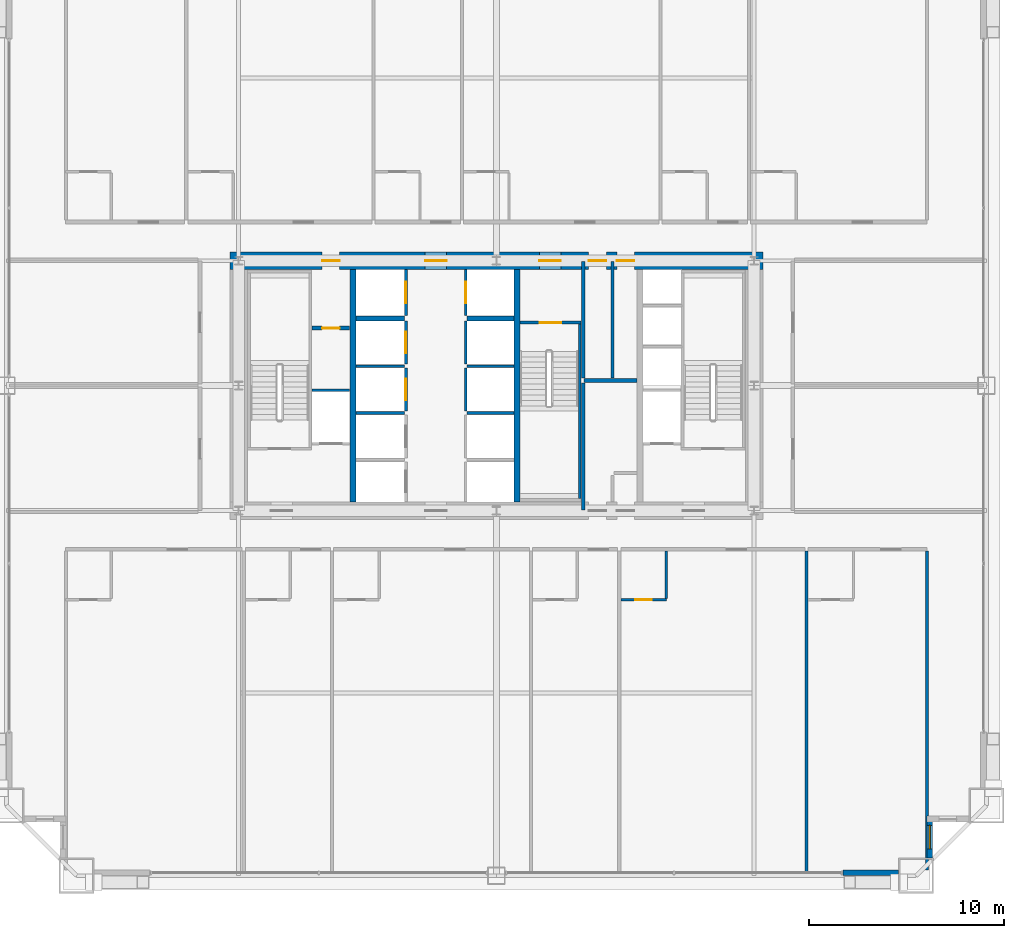
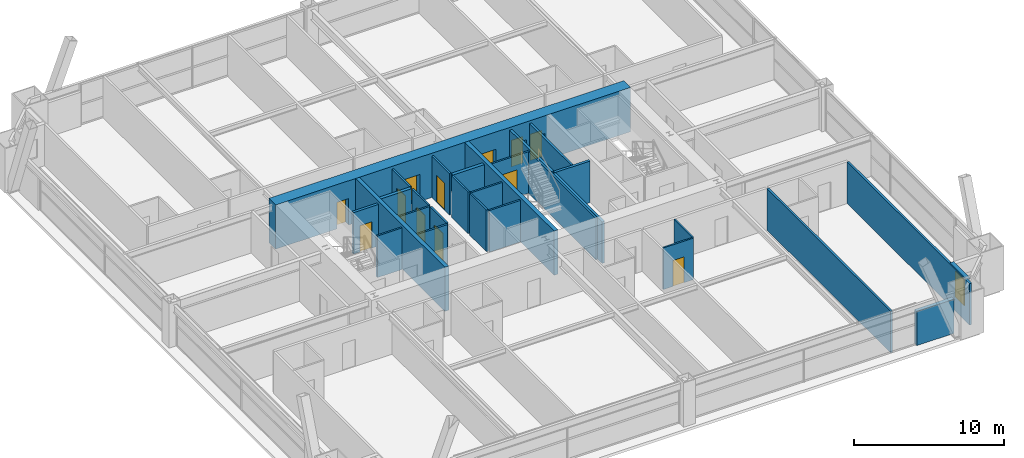
# One storey, part 40 of 43: 29 walls, 12 doors, 1 window, 13 openings.
"""IFC4 building model written with IfcOpenShell, lengths in metres."""

from ifc_helpers import new_model, si_unit, direction, frame, frame_2d, origin, place, context, subcontext, project, spatial, rectangle, extrude, source, transform, mapped, material, layer, layer_set, type_object, element, fill, save


model = new_model("IFC4")

# Units and contexts
model_context = context("Model", 3, precision=1e-05, world=origin(), true_north=direction((0.0, 1.0)))
body_context = subcontext(model_context, "Body", "Model", "MODEL_VIEW")
ifc_project = project(units=[si_unit("LENGTHUNIT", "METRE"), si_unit("AREAUNIT", "SQUARE_METRE"), si_unit("VOLUMEUNIT", "CUBIC_METRE"), si_unit("PLANEANGLEUNIT", "RADIAN"), si_unit("MASSUNIT", "GRAM", prefix="KILO"), si_unit("THERMODYNAMICTEMPERATUREUNIT", "KELVIN"), si_unit("POWERUNIT", "WATT")], contexts=[model_context])

# Site, building, storey
site_placement = place(None, origin())
site = spatial("IfcSite", under=ifc_project, at=site_placement, CompositionType="ELEMENT")
building_placement = place(site_placement, origin())
building = spatial("IfcBuilding", under=site, at=building_placement, Name="Yuzanri Waterfront Tower", CompositionType="ELEMENT")
storey_placement = place(building_placement, frame((0.0, 0.0, 67.60009765625)))
storey = spatial("IfcBuildingStorey", under=building, at=storey_placement, Name="L17", CompositionType="ELEMENT", Elevation=67.60009765625)

# Wall, opening, door
ifc_material_1 = material(Name="Moisture-Resistant Gypsum Stud Wall", Category="gypsum")
ifc_layer_1 = layer(ifc_material_1, 0.1201171875)
ifc_layer_set_1 = layer_set([ifc_layer_1], Name="Moisture-Resistant Gypsum Stud Wall")
wall_type_1 = type_object("IfcWallType", Name="Bathroom and Kitchen Wet Partition 120", PredefinedType="PARTITIONING", material=ifc_layer_set_1)
wall_1_placement = place(storey_placement, frame((43.3740234375, 14.840087890625, 0.0), z_axis=(0.0, 0.0, 1.0), x_axis=(1.0, 0.0, 0.0)))
wall_1 = element("IfcWall", 1, at=wall_1_placement, inside=storey, type_object=wall_type_1, Name="L17 Partition UW-L17-S5-BS", PredefinedType="PARTITIONING", context=body_context, shape_type="SweptSolid", body=[
    extrude(rectangle(XDim=2.330078125, YDim=0.1201171875, at=frame_2d((1.1650390625, 0.0))), origin(), (0.0, 0.0, 1.0), 3.3798828125),
])
opening_1_placement = place(wall_1_placement, frame((0.739990234375, 0.0, 0.0)))
opening_1 = element("IfcOpeningElement", 2, at=opening_1_placement, cuts=wall_1, Name="Opening ID-0850", PredefinedType="OPENING", context=body_context, shape_type="SweptSolid", body=[
    extrude(rectangle(XDim=0.85009765625, YDim=2.10009765625, at=frame_2d((0.425048828125, 1.050048828125))), frame((0.0, 0.074951171875, 0.0), z_axis=(0.0, -1.0, 0.0), x_axis=(1.0, 0.0, 0.0)), (0.0, 0.0, 1.0), 0.14990234375),
])
ifc_material_2 = material(Name="Moisture-Resistant Lacquered Timber", Category="wood")
door_type_1 = type_object("IfcDoorType", Name="En-Suite Bathroom and Kitchen Swing Door 850x2100", OperationType="NOTDEFINED", PredefinedType="DOOR", material=ifc_material_2)
shared_shape_1 = source(origin(), body_context, "Body", "SweptSolid", [
    extrude(rectangle(XDim=0.85009765625, YDim=2.10009765625, at=frame_2d((0.425048828125, 1.050048828125))), frame((0.0, 0.02490234375, 0.0), z_axis=(0.0, -1.0, 0.0), x_axis=(1.0, 0.0, 0.0)), (0.0, 0.0, 1.0), 0.050048828125),
])
door_1_placement = place(opening_1_placement, origin())
door_1 = element("IfcDoor", 3, at=door_1_placement, inside=storey, type_object=door_type_1, Name="L17 Guest En-Suite Door", OperationType="SINGLE_SWING_LEFT", OverallHeight=2.10009765625, OverallWidth=0.85009765625, PredefinedType="DOOR", context=body_context, shape_type="MappedRepresentation", body=[
    mapped(shared_shape_1, transform((0.0, 0.0, 0.0), scale=1.0)),
])
fill(opening_1, door_1)

# Wall, opening, window
ifc_material_3 = material(Name="Honed Chongqing Dark Basalt Stone", Category="masonry")
ifc_layer_2 = layer(ifc_material_3, 0.300048828125)
ifc_layer_set_2 = layer_set([ifc_layer_2], Name="Honed Chongqing Dark Basalt Stone")
wall_type_2 = type_object("IfcWallType", Name="Bronze Rainscreen Insulated Spandrel Portal Wall 300", PredefinedType="SOLIDWALL", material=ifc_layer_set_2)
wall_2_placement = place(storey_placement, frame((59.199951171875, 1.60009765625, 0.0), z_axis=(0.0, 0.0, 1.0), x_axis=(0.0, 1.0, 0.0)))
wall_2 = element("IfcWall", 4, at=wall_2_placement, inside=storey, type_object=wall_type_2, Name="L17 Notched Corner Masonry Wall SE-Y", PredefinedType="SOLIDWALL", context=body_context, shape_type="SweptSolid", body=[
    extrude(rectangle(XDim=2.14990234375, YDim=0.300048828125, at=frame_2d((1.074951171875, 0.0))), origin(), (0.0, 0.0, 1.0), 3.3798828125),
])
opening_2_placement = place(wall_2_placement, frame((0.47509765625, 0.0, 0.85009765625)))
opening_2 = element("IfcOpeningElement", 5, at=opening_2_placement, cuts=wall_2, Name="Opening WN-02", PredefinedType="OPENING", context=body_context, shape_type="SweptSolid", body=[
    extrude(rectangle(XDim=1.199951171875, YDim=2.10009765625, at=frame_2d((0.60009765625, 1.050048828125))), frame((0.0, 0.1650390625, 0.0), z_axis=(0.0, -1.0, 0.0), x_axis=(1.0, 0.0, 0.0)), (0.0, 0.0, 1.0), 0.329833984375),
])
ifc_material_4 = material(Name="Double-Silver Low-E Insulated Glass", Category="glass")
window_type = type_object("IfcWindowType", Name="Anodized Bronze Notched Corner Deep-Set Slot Window 1200x2100", PartitioningType="SINGLE_PANEL", PredefinedType="WINDOW", material=ifc_material_4)
shared_shape_2 = source(origin(), body_context, "Body", "SweptSolid", [
    extrude(rectangle(XDim=1.199951171875, YDim=2.10009765625, at=frame_2d((0.60009765625, 1.050048828125))), frame((0.0, 0.030029296875, 0.0), z_axis=(0.0, -1.0, 0.0), x_axis=(1.0, 0.0, 0.0)), (0.0, 0.0, 1.0), 0.06005859375),
])
window_placement = place(opening_2_placement, origin())
window = element("IfcWindow", 6, at=window_placement, inside=storey, type_object=window_type, Name="L17 Notched Corner Window SE-Y", OverallHeight=2.10009765625, OverallWidth=1.199951171875, PartitioningType="SINGLE_PANEL", PredefinedType="WINDOW", context=body_context, shape_type="MappedRepresentation", body=[
    mapped(shared_shape_2, transform((0.0, 0.0, 0.0), scale=1.0)),
])
fill(opening_2, window)

# Wall, openings, doors
ifc_material_5 = material(Name="Concrete C60", Category="concrete")
ifc_layer_3 = layer(ifc_material_5, 0.89990234375)
ifc_layer_set_3 = layer_set([ifc_layer_3], Name="Concrete C60")
wall_type_3 = type_object("IfcWallType", Name="Concrete C60 Lower Zone Core Shear Wall 900", PredefinedType="SHEAR", material=ifc_layer_set_3)
wall_3_placement = place(storey_placement, frame((23.35009765625, 32.199951171875, 0.0), z_axis=(0.0, 0.0, 1.0), x_axis=(1.0, 0.0, 0.0)))
wall_3 = element("IfcWall", 7, at=wall_3_placement, inside=storey, type_object=wall_type_3, Name="L17 Core North Shear Wall", PredefinedType="SHEAR", context=body_context, shape_type="SweptSolid", body=[
    extrude(rectangle(XDim=27.2998046875, YDim=0.89990234375, at=frame_2d((13.64990234375, 0.0))), origin(), (0.0, 0.0, 1.0), 3.599853515625),
])
opening_3_placement = place(wall_3_placement, frame((4.719970703125, 0.0, 0.0)))
opening_3 = element("IfcOpeningElement", 8, at=opening_3_placement, cuts=wall_3, Name="Opening FD-0900", PredefinedType="OPENING", context=body_context, shape_type="SweptSolid", body=[
    extrude(rectangle(XDim=0.89990234375, YDim=2.14990234375, at=frame_2d((0.449951171875, 1.074951171875))), frame((0.0, 0.46484375, 0.0), z_axis=(0.0, -1.0, 0.0), x_axis=(1.0, 0.0, 0.0)), (0.0, 0.0, 1.0), 0.9296875),
])
opening_4_placement = place(wall_3_placement, frame((10.0, 0.0, 0.0)))
opening_4 = element("IfcOpeningElement", 9, at=opening_4_placement, cuts=wall_3, Name="Opening FD-1100", PredefinedType="OPENING", context=body_context, shape_type="SweptSolid", body=[
    extrude(rectangle(XDim=1.10009765625, YDim=2.199951171875, at=frame_2d((0.550048828125, 1.10009765625))), frame((0.0, 0.46484375, 0.0), z_axis=(0.0, -1.0, 0.0), x_axis=(1.0, 0.0, 0.0)), (0.0, 0.0, 1.0), 0.9296875),
])
opening_5_placement = place(wall_3_placement, frame((15.85009765625, 0.0, 0.0)))
opening_5 = element("IfcOpeningElement", 10, at=opening_5_placement, cuts=wall_3, Name="Opening FD-1100", PredefinedType="OPENING", context=body_context, shape_type="SweptSolid", body=[
    extrude(rectangle(XDim=1.10009765625, YDim=2.199951171875, at=frame_2d((0.550048828125, 1.10009765625))), frame((0.0, 0.46484375, 0.0), z_axis=(0.0, -1.0, 0.0), x_axis=(1.0, 0.0, 0.0)), (0.0, 0.0, 1.0), 0.9296875),
])
opening_6_placement = place(wall_3_placement, frame((18.3798828125, 0.0, 0.0)))
opening_6 = element("IfcOpeningElement", 11, at=opening_6_placement, cuts=wall_3, Name="Opening FD-0900", PredefinedType="OPENING", context=body_context, shape_type="SweptSolid", body=[
    extrude(rectangle(XDim=0.89990234375, YDim=2.14990234375, at=frame_2d((0.449951171875, 1.074951171875))), frame((0.0, 0.46484375, 0.0), z_axis=(0.0, -1.0, 0.0), x_axis=(1.0, 0.0, 0.0)), (0.0, 0.0, 1.0), 0.9296875),
])
opening_7_placement = place(wall_3_placement, frame((19.820068359375, 0.0, 0.0)))
opening_7 = element("IfcOpeningElement", 12, at=opening_7_placement, cuts=wall_3, Name="Opening FD-0900", PredefinedType="OPENING", context=body_context, shape_type="SweptSolid", body=[
    extrude(rectangle(XDim=0.89990234375, YDim=2.14990234375, at=frame_2d((0.449951171875, 1.074951171875))), frame((0.0, 0.46484375, 0.0), z_axis=(0.0, -1.0, 0.0), x_axis=(1.0, 0.0, 0.0)), (0.0, 0.0, 1.0), 0.9296875),
])
ifc_material_6 = material(Name="Painted Galvanized Fire Steel", Category="steel")
door_type_2 = type_object("IfcDoorType", Name="Smoke-Proof Stair and Lobby Fire Door 1100x2200", OperationType="NOTDEFINED", PredefinedType="DOOR", material=ifc_material_6)
shared_shape_3 = source(origin(), body_context, "Body", "SweptSolid", [
    extrude(rectangle(XDim=1.10009765625, YDim=2.199951171875, at=frame_2d((0.550048828125, 1.10009765625))), frame((0.0, 0.02490234375, 0.0), z_axis=(0.0, -1.0, 0.0), x_axis=(1.0, 0.0, 0.0)), (0.0, 0.0, 1.0), 0.050048828125),
])
door_2_placement = place(opening_4_placement, origin())
door_2 = element("IfcDoor", 13, at=door_2_placement, inside=storey, type_object=door_type_2, Name="L17 Central Lift Lobby North Door", OperationType="SINGLE_SWING_LEFT", OverallHeight=2.199951171875, OverallWidth=1.10009765625, PredefinedType="DOOR", context=body_context, shape_type="MappedRepresentation", body=[
    mapped(shared_shape_3, transform((0.0, 0.0, 0.0), scale=1.0)),
])
fill(opening_4, door_2)
door_3_placement = place(opening_5_placement, origin())
door_3 = element("IfcDoor", 14, at=door_3_placement, inside=storey, type_object=door_type_2, Name="L17 North Stair Lobby Door", OperationType="SINGLE_SWING_RIGHT", OverallHeight=2.199951171875, OverallWidth=1.10009765625, PredefinedType="DOOR", context=body_context, shape_type="MappedRepresentation", body=[
    mapped(shared_shape_3, transform((0.0, 0.0, 0.0), scale=1.0)),
])
fill(opening_5, door_3)
ifc_material_7 = material(Name="Painted Galvanized Fire Steel", Category="steel")
door_type_3 = type_object("IfcDoorType", Name="Riser and Service Room Fire Door 900x2150", OperationType="NOTDEFINED", PredefinedType="DOOR", material=ifc_material_7)
shared_shape_4 = source(origin(), body_context, "Body", "SweptSolid", [
    extrude(rectangle(XDim=0.89990234375, YDim=2.14990234375, at=frame_2d((0.449951171875, 1.074951171875))), frame((0.0, 0.02490234375, 0.0), z_axis=(0.0, -1.0, 0.0), x_axis=(1.0, 0.0, 0.0)), (0.0, 0.0, 1.0), 0.050048828125),
])
door_4_placement = place(opening_3_placement, origin())
door_4 = element("IfcDoor", 15, at=door_4_placement, inside=storey, type_object=door_type_3, Name="L17 Telecom Riser Door", OperationType="SINGLE_SWING_RIGHT", OverallHeight=2.14990234375, OverallWidth=0.89990234375, PredefinedType="DOOR", context=body_context, shape_type="MappedRepresentation", body=[
    mapped(shared_shape_4, transform((0.0, 0.0, 0.0), scale=1.0)),
])
fill(opening_3, door_4)
door_5_placement = place(opening_6_placement, origin())
door_5 = element("IfcDoor", 16, at=door_5_placement, inside=storey, type_object=door_type_3, Name="L17 Common Store Room", OperationType="SINGLE_SWING_RIGHT", OverallHeight=2.14990234375, OverallWidth=0.89990234375, PredefinedType="DOOR", context=body_context, shape_type="MappedRepresentation", body=[
    mapped(shared_shape_4, transform((0.0, 0.0, 0.0), scale=1.0)),
])
fill(opening_6, door_5)
door_6_placement = place(opening_7_placement, origin())
door_6 = element("IfcDoor", 17, at=door_6_placement, inside=storey, type_object=door_type_3, Name="L17 Linen Store Room", OperationType="SINGLE_SWING_LEFT", OverallHeight=2.14990234375, OverallWidth=0.89990234375, PredefinedType="DOOR", context=body_context, shape_type="MappedRepresentation", body=[
    mapped(shared_shape_4, transform((0.0, 0.0, 0.0), scale=1.0)),
])
fill(opening_7, door_6)

# Wall, opening, door
ifc_material_8 = material(Name="Concrete C40", Category="concrete")
ifc_layer_4 = layer(ifc_material_8, 0.139892578125)
ifc_layer_set_4 = layer_set([ifc_layer_4], Name="Concrete C40")
wall_type_4 = type_object("IfcWallType", Name="Core Stair Liner and Hoistway Shaft Wall 140", PredefinedType="SOLIDWALL", material=ifc_layer_set_4)
wall_4_placement = place(storey_placement, frame((32.3701171875, 24.5, 0.0), z_axis=(0.0, 0.0, 1.0), x_axis=(0.0, 1.0, 0.0)))
wall_4 = element("IfcWall", 18, at=wall_4_placement, inside=storey, type_object=wall_type_4, Name="L17 Lift PL-03 Front Shaft Wall", PredefinedType="SOLIDWALL", context=body_context, shape_type="SweptSolid", body=[
    extrude(rectangle(XDim=2.199951171875, YDim=0.139892578125, at=frame_2d((1.10009765625, 0.0))), origin(), (0.0, 0.0, 1.0), 3.3798828125),
])
opening_8_placement = place(wall_4_placement, frame((0.550048828125, 0.0, 0.0)))
opening_8 = element("IfcOpeningElement", 19, at=opening_8_placement, cuts=wall_4, Name="Opening LD-PL-03", PredefinedType="OPENING", context=body_context, shape_type="SweptSolid", body=[
    extrude(rectangle(XDim=1.10009765625, YDim=2.199951171875, at=frame_2d((0.550048828125, 1.10009765625))), frame((0.0, 0.0849609375, 0.0), z_axis=(0.0, -1.0, 0.0), x_axis=(1.0, 0.0, 0.0)), (0.0, 0.0, 1.0), 0.169677734375),
])
ifc_material_9 = material(Name="Brushed Bronze and Stainless Steel Cab", Category="steel")
door_type_4 = type_object("IfcDoorType", Name="Center-Parting Bronze Lift Landing Sliding Door 1100x2200", OperationType="NOTDEFINED", PredefinedType="DOOR", material=ifc_material_9)
shared_shape_5 = source(origin(), body_context, "Body", "SweptSolid", [
    extrude(rectangle(XDim=1.10009765625, YDim=2.199951171875, at=frame_2d((0.550048828125, 1.10009765625))), frame((0.0, 0.02490234375, 0.0), z_axis=(0.0, -1.0, 0.0), x_axis=(1.0, 0.0, 0.0)), (0.0, 0.0, 1.0), 0.050048828125),
])
door_7_placement = place(opening_8_placement, origin())
door_7 = element("IfcDoor", 20, at=door_7_placement, inside=storey, type_object=door_type_4, Name="L17 PL-03 Lift Landing Sliding Door", OperationType="SLIDING_TO_LEFT", OverallHeight=2.199951171875, OverallWidth=1.10009765625, PredefinedType="DOOR", context=body_context, shape_type="MappedRepresentation", body=[
    mapped(shared_shape_5, transform((0.0, 0.0, 0.0), scale=1.0)),
])
fill(opening_8, door_7)

wall_5_placement = place(storey_placement, frame((32.3701171875, 26.89990234375, 0.0), z_axis=(0.0, 0.0, 1.0), x_axis=(0.0, 1.0, 0.0)))
wall_5 = element("IfcWall", 21, at=wall_5_placement, inside=storey, type_object=wall_type_4, Name="L17 Lift PL-04 Front Shaft Wall", PredefinedType="SOLIDWALL", context=body_context, shape_type="SweptSolid", body=[
    extrude(rectangle(XDim=2.2001953125, YDim=0.139892578125, at=frame_2d((1.10009765625, 0.0))), origin(), (0.0, 0.0, 1.0), 3.3798828125),
])
opening_9_placement = place(wall_5_placement, frame((0.550048828125, 0.0, 0.0)))
opening_9 = element("IfcOpeningElement", 22, at=opening_9_placement, cuts=wall_5, Name="Opening LD-PL-04", PredefinedType="OPENING", context=body_context, shape_type="SweptSolid", body=[
    extrude(rectangle(XDim=1.10009765625, YDim=2.199951171875, at=frame_2d((0.550048828125, 1.10009765625))), frame((0.0, 0.0849609375, 0.0), z_axis=(0.0, -1.0, 0.0), x_axis=(1.0, 0.0, 0.0)), (0.0, 0.0, 1.0), 0.169677734375),
])
door_8_placement = place(opening_9_placement, origin())
door_8 = element("IfcDoor", 23, at=door_8_placement, inside=storey, type_object=door_type_4, Name="L17 PL-04 Lift Landing Sliding Door", OperationType="SLIDING_TO_RIGHT", OverallHeight=2.199951171875, OverallWidth=1.10009765625, PredefinedType="DOOR", context=body_context, shape_type="MappedRepresentation", body=[
    mapped(shared_shape_5, transform((0.0, 0.0, 0.0), scale=1.0)),
])
fill(opening_9, door_8)

wall_6_placement = place(storey_placement, frame((32.3701171875, 29.39990234375, 0.0), z_axis=(0.0, 0.0, 1.0), x_axis=(0.0, 1.0, 0.0)))
wall_6 = element("IfcWall", 24, at=wall_6_placement, inside=storey, type_object=wall_type_4, Name="L17 Lift SL-01 Front Shaft Wall", PredefinedType="SOLIDWALL", context=body_context, shape_type="SweptSolid", body=[
    extrude(rectangle(XDim=2.340087890625, YDim=0.139892578125, at=frame_2d((1.169921875, 0.0))), origin(), (0.0, 0.0, 1.0), 3.3798828125),
])
opening_10_placement = place(wall_6_placement, frame((0.6201171875, 0.0, 0.0)))
opening_10 = element("IfcOpeningElement", 25, at=opening_10_placement, cuts=wall_6, Name="Opening LD-SL-01", PredefinedType="OPENING", context=body_context, shape_type="SweptSolid", body=[
    extrude(rectangle(XDim=1.10009765625, YDim=2.199951171875, at=frame_2d((0.550048828125, 1.10009765625))), frame((0.0, 0.0849609375, 0.0), z_axis=(0.0, -1.0, 0.0), x_axis=(1.0, 0.0, 0.0)), (0.0, 0.0, 1.0), 0.169677734375),
])
door_9_placement = place(opening_10_placement, origin())
door_9 = element("IfcDoor", 26, at=door_9_placement, inside=storey, type_object=door_type_4, Name="L17 SL-01 Lift Landing Sliding Door", OperationType="SLIDING_TO_LEFT", OverallHeight=2.199951171875, OverallWidth=1.10009765625, PredefinedType="DOOR", context=body_context, shape_type="MappedRepresentation", body=[
    mapped(shared_shape_5, transform((0.0, 0.0, 0.0), scale=1.0)),
])
fill(opening_10, door_9)

wall_7_placement = place(storey_placement, frame((35.429931640625, 29.39990234375, 0.0), z_axis=(0.0, 0.0, 1.0), x_axis=(0.0, 1.0, 0.0)))
wall_7 = element("IfcWall", 27, at=wall_7_placement, inside=storey, type_object=wall_type_4, Name="L17 Lift SL-02 Front Shaft Wall", PredefinedType="SOLIDWALL", context=body_context, shape_type="SweptSolid", body=[
    extrude(rectangle(XDim=2.340087890625, YDim=0.139892578125, at=frame_2d((1.169921875, 0.0))), origin(), (0.0, 0.0, 1.0), 3.3798828125),
])
opening_11_placement = place(wall_7_placement, frame((0.6201171875, 0.0, 0.0)))
opening_11 = element("IfcOpeningElement", 28, at=opening_11_placement, cuts=wall_7, Name="Opening LD-SL-02", PredefinedType="OPENING", context=body_context, shape_type="SweptSolid", body=[
    extrude(rectangle(XDim=1.10009765625, YDim=2.199951171875, at=frame_2d((0.550048828125, 1.10009765625))), frame((0.0, 0.0849609375, 0.0), z_axis=(0.0, -1.0, 0.0), x_axis=(1.0, 0.0, 0.0)), (0.0, 0.0, 1.0), 0.169677734375),
])
door_10_placement = place(opening_11_placement, origin())
door_10 = element("IfcDoor", 29, at=door_10_placement, inside=storey, type_object=door_type_4, Name="L17 SL-02 Lift Landing Sliding Door", OperationType="SLIDING_TO_RIGHT", OverallHeight=2.199951171875, OverallWidth=1.10009765625, PredefinedType="DOOR", context=body_context, shape_type="MappedRepresentation", body=[
    mapped(shared_shape_5, transform((0.0, 0.0, 0.0), scale=1.0)),
])
fill(opening_11, door_10)

wall_8_placement = place(storey_placement, frame((38.199951171875, 29.030029296875, 0.0), z_axis=(0.0, 0.0, 1.0), x_axis=(1.0, 0.0, 0.0)))
wall_8 = element("IfcWall", 30, at=wall_8_placement, inside=storey, type_object=wall_type_4, Name="L17 Shaft Wall STW-L17-ST-03-N", PredefinedType="SOLIDWALL", context=body_context, shape_type="SweptSolid", body=[
    extrude(rectangle(XDim=3.14013671875, YDim=0.139892578125, at=frame_2d((1.570068359375, 0.0))), origin(), (0.0, 0.0, 1.0), 3.3798828125),
])
opening_12_placement = place(wall_8_placement, frame((1.02001953125, 0.0, 0.0)))
opening_12 = element("IfcOpeningElement", 31, at=opening_12_placement, cuts=wall_8, Name="Opening FD-1100", PredefinedType="OPENING", context=body_context, shape_type="SweptSolid", body=[
    extrude(rectangle(XDim=1.10009765625, YDim=2.199951171875, at=frame_2d((0.550048828125, 1.10009765625))), frame((0.0, 0.0849609375, 0.0), z_axis=(0.0, -1.0, 0.0), x_axis=(1.0, 0.0, 0.0)), (0.0, 0.0, 1.0), 0.169677734375),
])
door_11_placement = place(opening_12_placement, origin())
door_11 = element("IfcDoor", 32, at=door_11_placement, inside=storey, type_object=door_type_2, Name="L17 Stair ST-03 Fire Door", OperationType="SINGLE_SWING_RIGHT", OverallHeight=2.199951171875, OverallWidth=1.10009765625, PredefinedType="DOOR", context=body_context, shape_type="MappedRepresentation", body=[
    mapped(shared_shape_3, transform((0.0, 0.0, 0.0), scale=1.0)),
])
fill(opening_12, door_11)

ifc_material_10 = material(Name="Autoclaved Aerated Concrete Blockwork", Category="masonry")
ifc_layer_5 = layer(ifc_material_10, 0.199951171875)
ifc_layer_set_5 = layer_set([ifc_layer_5], Name="Autoclaved Aerated Concrete Blockwork")
wall_type_5 = type_object("IfcWallType", Name="Corridor and Unit Party Fire Wall 200", PredefinedType="PARTITIONING", material=ifc_layer_set_5)
wall_9_placement = place(storey_placement, frame((27.56005859375, 28.75, 0.0), z_axis=(0.0, 0.0, 1.0), x_axis=(1.0, 0.0, 0.0)))
wall_9 = element("IfcWall", 33, at=wall_9_placement, inside=storey, type_object=wall_type_5, Name="L17 Partition CRW-L17-ERTR", PredefinedType="PARTITIONING", context=body_context, shape_type="SweptSolid", body=[
    extrude(rectangle(XDim=1.919921875, YDim=0.199951171875, at=frame_2d((0.9599609375, 0.0))), origin(), (0.0, 0.0, 1.0), 3.3798828125),
])
opening_13_placement = place(wall_9_placement, frame((0.510009765625, 0.0, 0.0)))
opening_13 = element("IfcOpeningElement", 34, at=opening_13_placement, cuts=wall_9, Name="Opening FD-0900", PredefinedType="OPENING", context=body_context, shape_type="SweptSolid", body=[
    extrude(rectangle(XDim=0.89990234375, YDim=2.14990234375, at=frame_2d((0.449951171875, 1.074951171875))), frame((0.0, 0.11474609375, 0.0), z_axis=(0.0, -1.0, 0.0), x_axis=(1.0, 0.0, 0.0)), (0.0, 0.0, 1.0), 0.229736328125),
])
door_12_placement = place(opening_13_placement, origin())
door_12 = element("IfcDoor", 35, at=door_12_placement, inside=storey, type_object=door_type_3, Name="L17 Electrical Riser Door", OperationType="SINGLE_SWING_LEFT", OverallHeight=2.14990234375, OverallWidth=0.89990234375, PredefinedType="DOOR", context=body_context, shape_type="MappedRepresentation", body=[
    mapped(shared_shape_4, transform((0.0, 0.0, 0.0), scale=1.0)),
])
fill(opening_13, door_12)

# Walls
ifc_material_11 = material(Name="Concrete C50", Category="concrete")
ifc_layer_6 = layer(ifc_material_11, 0.300048828125)
ifc_layer_set_6 = layer_set([ifc_layer_6], Name="Concrete C50")
wall_type_6 = type_object("IfcWallType", Name="Concrete C50 Internal Core Shaft Structural Wall 300", PredefinedType="SOLIDWALL", material=ifc_layer_set_6)
shared_shape_6 = source(origin(), body_context, "Body", "SweptSolid", [
    extrude(rectangle(XDim=11.89990234375, YDim=0.300048828125, at=frame_2d((5.949951171875, 0.0))), origin(), (0.0, 0.0, 1.0), 3.599853515625),
])
for number, where, z_axis, x_axis, name in (
    (36, (29.64990234375, 19.85009765625, 0.0), (0.0, 0.0, 1.0), (0.0, 1.0, 0.0), "L17 Core Internal Structural Web Wall 1"),
    (37, (38.050048828125, 19.85009765625, 0.0), (0.0, 0.0, 1.0), (0.0, 1.0, 0.0), "L17 Core Internal Structural Web Wall 2"),
):
    element("IfcWall", number, at=place(storey_placement, frame(where, z_axis=z_axis, x_axis=x_axis)), inside=storey, type_object=wall_type_6, Name=name, PredefinedType="SOLIDWALL", context=body_context, shape_type="MappedRepresentation", body=[
        mapped(shared_shape_6, transform((0.0, 0.0, 0.0), scale=1.0)),
    ])
shared_shape_7 = source(origin(), body_context, "Body", "SweptSolid", [
    extrude(rectangle(XDim=2.85009765625, YDim=0.300048828125, at=frame_2d((1.425048828125, 0.0))), origin(), (0.0, 0.0, 1.0), 2.77490234375),
])
wall_10_placement = place(storey_placement, frame((54.75, 0.85009765625, 0.0), z_axis=(0.0, 0.0, 1.0), x_axis=(1.0, 0.0, 0.0)))
element("IfcWall", 38, at=wall_10_placement, inside=storey, type_object=wall_type_2, Name="L17 S Right Braced Masonry Shoulder", PredefinedType="SOLIDWALL", context=body_context, shape_type="MappedRepresentation", body=[
    mapped(shared_shape_7, transform((0.0, 0.0, 0.0), scale=1.0)),
])
shared_shape_8 = source(origin(), body_context, "Body", "SweptSolid", [
    extrude(rectangle(XDim=1.919921875, YDim=0.139892578125, at=frame_2d((0.9599609375, 0.0))), origin(), (0.0, 0.0, 1.0), 3.3798828125),
])
wall_11_placement = place(storey_placement, frame((27.56005859375, 25.570068359375, 0.0), z_axis=(0.0, 0.0, 1.0), x_axis=(1.0, 0.0, 0.0)))
element("IfcWall", 39, at=wall_11_placement, inside=storey, type_object=wall_type_4, Name="L17 Lift FL-01 Back Shaft Wall", PredefinedType="SOLIDWALL", context=body_context, shape_type="MappedRepresentation", body=[
    mapped(shared_shape_8, transform((0.0, 0.0, 0.0), scale=1.0)),
])
shared_shape_9 = source(origin(), body_context, "Body", "SweptSolid", [
    extrude(rectangle(XDim=2.5, YDim=0.139892578125, at=frame_2d((1.25, 0.0))), origin(), (0.0, 0.0, 1.0), 3.3798828125),
])
for number, where, z_axis, x_axis, name in (
    (40, (29.800048828125, 24.39990234375, 0.0), (0.0, 0.0, 1.0), (1.0, 0.0, 0.0), "L17 Lift PL-02 Divider Wall"),
    (41, (29.800048828125, 26.800048828125, 0.0), (0.0, 0.0, 1.0), (1.0, 0.0, 0.0), "L17 Lift PL-03 Divider Wall"),
):
    element("IfcWall", number, at=place(storey_placement, frame(where, z_axis=z_axis, x_axis=x_axis)), inside=storey, type_object=wall_type_4, Name=name, PredefinedType="SOLIDWALL", context=body_context, shape_type="MappedRepresentation", body=[
        mapped(shared_shape_9, transform((0.0, 0.0, 0.0), scale=1.0)),
    ])
ifc_material_12 = material(Name="Concrete C40", Category="concrete")
ifc_layer_7 = layer(ifc_material_12, 0.25)
ifc_layer_set_7 = layer_set([ifc_layer_7], Name="Concrete C40")
wall_type_7 = type_object("IfcWallType", Name="Smoke-Proof Stair and Lift Shaft Wall 250", PredefinedType="SOLIDWALL", material=ifc_layer_set_7)
shared_shape_10 = source(origin(), body_context, "Body", "SweptSolid", [
    extrude(rectangle(XDim=2.5, YDim=0.25, at=frame_2d((1.25, 0.0))), origin(), (0.0, 0.0, 1.0), 3.3798828125),
])
wall_12_placement = place(storey_placement, frame((29.800048828125, 29.25, 0.0), z_axis=(0.0, 0.0, 1.0), x_axis=(1.0, 0.0, 0.0)))
element("IfcWall", 42, at=wall_12_placement, inside=storey, type_object=wall_type_7, Name="L17 Lift SL-01 South Shaft Wall", PredefinedType="SOLIDWALL", context=body_context, shape_type="MappedRepresentation", body=[
    mapped(shared_shape_10, transform((0.0, 0.0, 0.0), scale=1.0)),
])
shared_shape_11 = source(origin(), body_context, "Body", "SweptSolid", [
    extrude(rectangle(XDim=2.39990234375, YDim=0.139892578125, at=frame_2d((1.199951171875, 0.0))), origin(), (0.0, 0.0, 1.0), 3.3798828125),
])
for number, where, z_axis, x_axis, name in (
    (43, (35.5, 24.39990234375, 0.0), (0.0, 0.0, 1.0), (1.0, 0.0, 0.0), "L17 Lift PL-06 Divider Wall"),
    (44, (35.5, 26.800048828125, 0.0), (0.0, 0.0, 1.0), (1.0, 0.0, 0.0), "L17 Lift PL-07 Divider Wall"),
):
    element("IfcWall", number, at=place(storey_placement, frame(where, z_axis=z_axis, x_axis=x_axis)), inside=storey, type_object=wall_type_4, Name=name, PredefinedType="SOLIDWALL", context=body_context, shape_type="MappedRepresentation", body=[
        mapped(shared_shape_11, transform((0.0, 0.0, 0.0), scale=1.0)),
    ])
shared_shape_12 = source(origin(), body_context, "Body", "SweptSolid", [
    extrude(rectangle(XDim=2.199951171875, YDim=0.139892578125, at=frame_2d((1.10009765625, 0.0))), origin(), (0.0, 0.0, 1.0), 3.3798828125),
])
wall_13_placement = place(storey_placement, frame((35.429931640625, 24.5, 0.0), z_axis=(0.0, 0.0, 1.0), x_axis=(0.0, 1.0, 0.0)))
element("IfcWall", 45, at=wall_13_placement, inside=storey, type_object=wall_type_4, Name="L17 Lift PL-07 Front Shaft Wall", PredefinedType="SOLIDWALL", context=body_context, shape_type="MappedRepresentation", body=[
    mapped(shared_shape_12, transform((0.0, 0.0, 0.0), scale=1.0)),
])
shared_shape_13 = source(origin(), body_context, "Body", "SweptSolid", [
    extrude(rectangle(XDim=2.2001953125, YDim=0.139892578125, at=frame_2d((1.10009765625, 0.0))), origin(), (0.0, 0.0, 1.0), 3.3798828125),
])
wall_14_placement = place(storey_placement, frame((35.429931640625, 26.89990234375, 0.0), z_axis=(0.0, 0.0, 1.0), x_axis=(0.0, 1.0, 0.0)))
element("IfcWall", 46, at=wall_14_placement, inside=storey, type_object=wall_type_4, Name="L17 Lift PL-08 Front Shaft Wall", PredefinedType="SOLIDWALL", context=body_context, shape_type="MappedRepresentation", body=[
    mapped(shared_shape_13, transform((0.0, 0.0, 0.0), scale=1.0)),
])
shared_shape_14 = source(origin(), body_context, "Body", "SweptSolid", [
    extrude(rectangle(XDim=2.39990234375, YDim=0.25, at=frame_2d((1.199951171875, 0.0))), origin(), (0.0, 0.0, 1.0), 3.3798828125),
])
wall_15_placement = place(storey_placement, frame((35.5, 29.25, 0.0), z_axis=(0.0, 0.0, 1.0), x_axis=(1.0, 0.0, 0.0)))
element("IfcWall", 47, at=wall_15_placement, inside=storey, type_object=wall_type_7, Name="L17 Lift SL-02 South Shaft Wall", PredefinedType="SOLIDWALL", context=body_context, shape_type="MappedRepresentation", body=[
    mapped(shared_shape_14, transform((0.0, 0.0, 0.0), scale=1.0)),
])
shared_shape_15 = source(origin(), body_context, "Body", "SweptSolid", [
    extrude(rectangle(XDim=8.93994140625, YDim=0.139892578125, at=frame_2d((4.469970703125, 0.0))), origin(), (0.0, 0.0, 1.0), 3.3798828125),
])
wall_16_placement = place(storey_placement, frame((41.27001953125, 20.02001953125, 0.0), z_axis=(0.0, 0.0, 1.0), x_axis=(0.0, 1.0, 0.0)))
element("IfcWall", 48, at=wall_16_placement, inside=storey, type_object=wall_type_4, Name="L17 Stair ST-03 East Shaft Wall", PredefinedType="SOLIDWALL", context=body_context, shape_type="MappedRepresentation", body=[
    mapped(shared_shape_15, transform((0.0, 0.0, 0.0), scale=1.0)),
])
ifc_material_13 = material(Name="Gypsum Fireboard Acoustic Stud Wall", Category="gypsum")
ifc_layer_8 = layer(ifc_material_13, 0.159912109375)
ifc_layer_set_8 = layer_set([ifc_layer_8], Name="Gypsum Fireboard Acoustic Stud Wall")
wall_type_8 = type_object("IfcWallType", Name="Acoustic Suite Demising Partition 160", PredefinedType="PARTITIONING", material=ifc_layer_set_8)
shared_shape_16 = source(origin(), body_context, "Body", "SweptSolid", [
    extrude(rectangle(XDim=16.469970703125, YDim=0.159912109375, at=frame_2d((8.23486328125, 0.0))), origin(), (0.0, 0.0, 1.0), 3.3798828125),
])
wall_17_placement = place(storey_placement, frame((52.883056640625, 0.85009765625, 0.0), z_axis=(0.0, 0.0, 1.0), x_axis=(0.0, 1.0, 0.0)))
element("IfcWall", 49, at=wall_17_placement, inside=storey, type_object=wall_type_8, Name="L17-S5 Party Wall", PredefinedType="PARTITIONING", context=body_context, shape_type="MappedRepresentation", body=[
    mapped(shared_shape_16, transform((0.0, 0.0, 0.0), scale=1.0)),
])
shared_shape_17 = source(origin(), body_context, "Body", "SweptSolid", [
    extrude(rectangle(XDim=2.420166015625, YDim=0.1201171875, at=frame_2d((1.2099609375, 0.0))), origin(), (0.0, 0.0, 1.0), 3.3798828125),
])
wall_18_placement = place(storey_placement, frame((45.7041015625, 14.89990234375, 0.0), z_axis=(0.0, 0.0, 1.0), x_axis=(0.0, 1.0, 0.0)))
element("IfcWall", 50, at=wall_18_placement, inside=storey, type_object=wall_type_1, Name="L17-S5 En-Suite Side Wall", PredefinedType="PARTITIONING", context=body_context, shape_type="MappedRepresentation", body=[
    mapped(shared_shape_17, transform((0.0, 0.0, 0.0), scale=1.0)),
])
shared_shape_18 = source(origin(), body_context, "Body", "SweptSolid", [
    extrude(rectangle(XDim=16.320068359375, YDim=0.159912109375, at=frame_2d((8.16015625, 0.0))), origin(), (0.0, 0.0, 1.0), 3.3798828125),
])
wall_19_placement = place(storey_placement, frame((59.050048828125, 1.0, 0.0), z_axis=(0.0, 0.0, 1.0), x_axis=(0.0, 1.0, 0.0)))
element("IfcWall", 51, at=wall_19_placement, inside=storey, type_object=wall_type_8, Name="L17 South Band East End Wall", PredefinedType="PARTITIONING", context=body_context, shape_type="MappedRepresentation", body=[
    mapped(shared_shape_18, transform((0.0, 0.0, 0.0), scale=1.0)),
])
shared_shape_19 = source(origin(), body_context, "Body", "SweptSolid", [
    extrude(rectangle(XDim=6.510009765625, YDim=0.199951171875, at=frame_2d((3.2548828125, 0.0))), origin(), (0.0, 0.0, 1.0), 3.3798828125),
])
wall_20_placement = place(storey_placement, frame((41.449951171875, 19.43994140625, 0.0), z_axis=(0.0, 0.0, 1.0), x_axis=(0.0, 1.0, 0.0)))
element("IfcWall", 52, at=wall_20_placement, inside=storey, type_object=wall_type_5, Name="L17 Core BOH West Wall 1", PredefinedType="PARTITIONING", context=body_context, shape_type="MappedRepresentation", body=[
    mapped(shared_shape_19, transform((0.0, 0.0, 0.0), scale=1.0)),
])
shared_shape_20 = source(origin(), body_context, "Body", "SweptSolid", [
    extrude(rectangle(XDim=2.699951171875, YDim=0.199951171875, at=frame_2d((1.35009765625, 0.0))), origin(), (0.0, 0.0, 1.0), 3.3798828125),
])
wall_21_placement = place(storey_placement, frame((41.5, 26.070068359375, 0.0), z_axis=(0.0, 0.0, 1.0), x_axis=(1.0, 0.0, 0.0)))
element("IfcWall", 53, at=wall_21_placement, inside=storey, type_object=wall_type_5, Name="L17 Core BOH Split Wall 1", PredefinedType="PARTITIONING", context=body_context, shape_type="MappedRepresentation", body=[
    mapped(shared_shape_20, transform((0.0, 0.0, 0.0), scale=1.0)),
])
shared_shape_21 = source(origin(), body_context, "Body", "SweptSolid", [
    extrude(rectangle(XDim=5.9599609375, YDim=0.199951171875, at=frame_2d((2.97998046875, 0.0))), origin(), (0.0, 0.0, 1.0), 3.3798828125),
])
wall_22_placement = place(storey_placement, frame((41.449951171875, 26.199951171875, 0.0), z_axis=(0.0, 0.0, 1.0), x_axis=(0.0, 1.0, 0.0)))
element("IfcWall", 54, at=wall_22_placement, inside=storey, type_object=wall_type_5, Name="L17 Core BOH West Wall 2", PredefinedType="PARTITIONING", context=body_context, shape_type="MappedRepresentation", body=[
    mapped(shared_shape_21, transform((0.0, 0.0, 0.0), scale=1.0)),
])
shared_shape_22 = source(origin(), body_context, "Body", "SweptSolid", [
    extrude(rectangle(XDim=5.9599609375, YDim=0.159912109375, at=frame_2d((2.97998046875, 0.0))), origin(), (0.0, 0.0, 1.0), 3.3798828125),
])
wall_23_placement = place(storey_placement, frame((42.949951171875, 26.199951171875, 0.0), z_axis=(0.0, 0.0, 1.0), x_axis=(0.0, 1.0, 0.0)))
element("IfcWall", 55, at=wall_23_placement, inside=storey, type_object=wall_type_8, Name="L17 Core BOH Mid Wall 3", PredefinedType="PARTITIONING", context=body_context, shape_type="MappedRepresentation", body=[
    mapped(shared_shape_22, transform((0.0, 0.0, 0.0), scale=1.0)),
])

save(model, "model.ifc")
